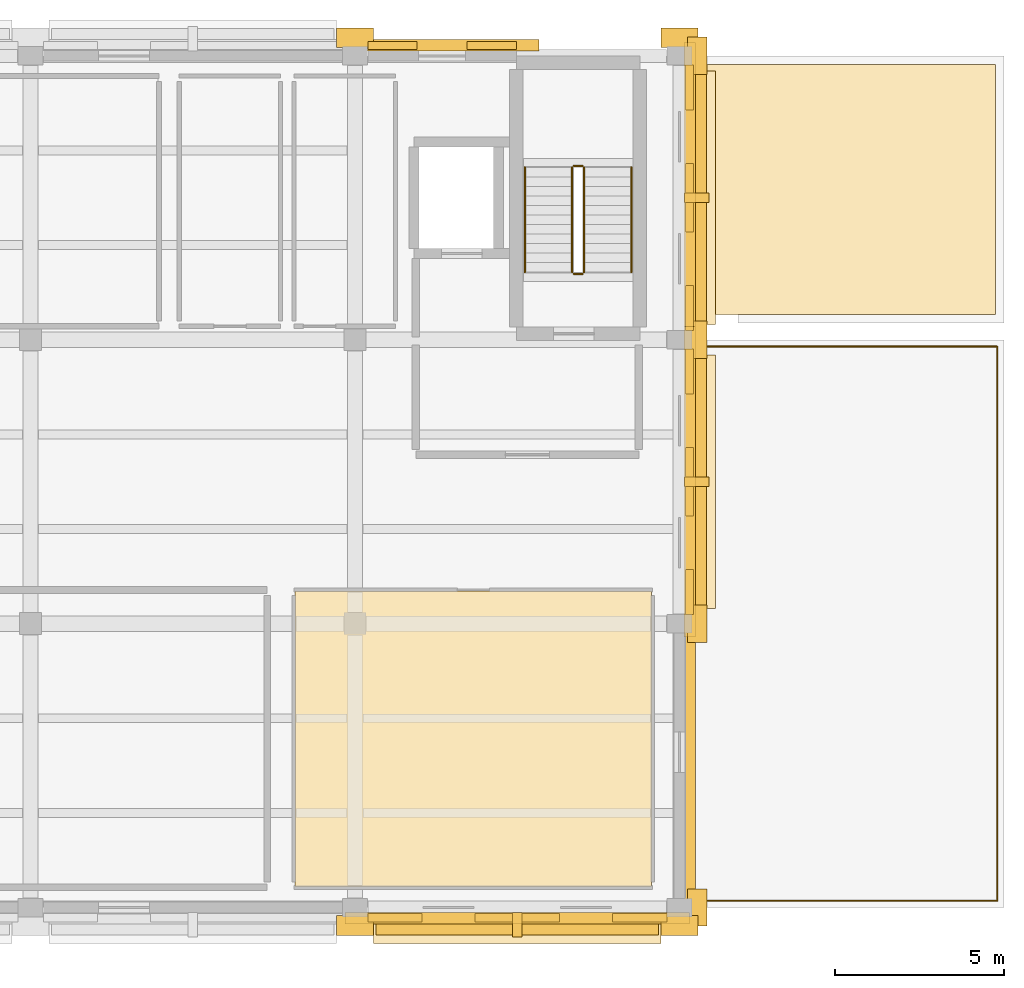
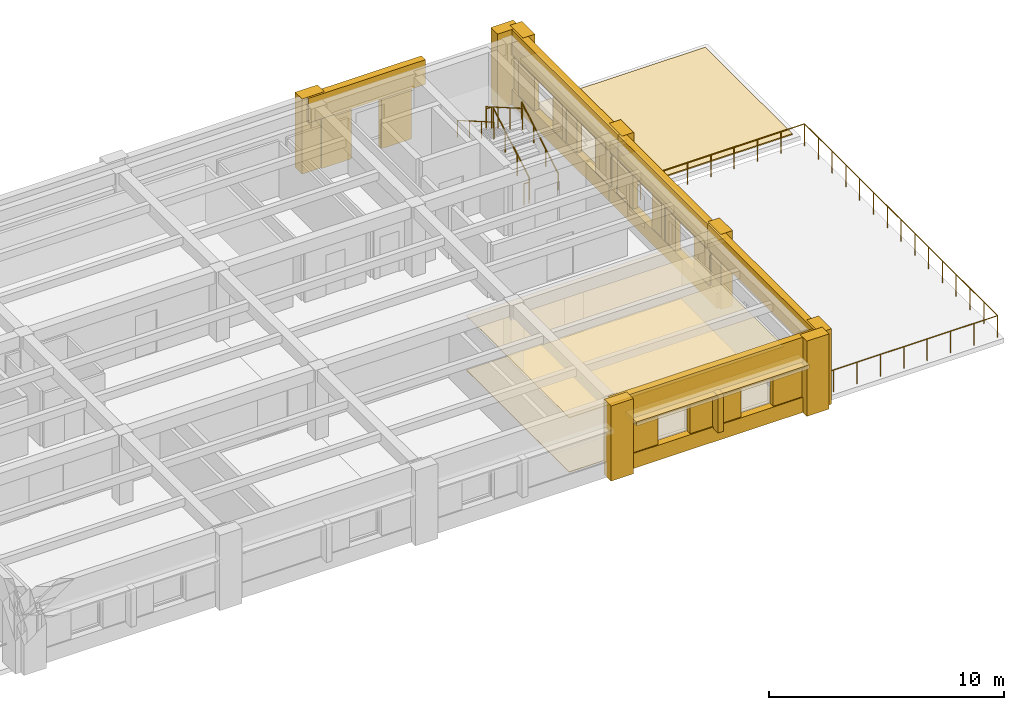
# One storey, part 7 of 7: 36 coverings, 7 railings, 3 shading devices.
"""IFC4 building model written with IfcOpenShell, lengths in metres."""

from ifc_helpers import new_model, si_unit, direction, frame, origin, origin_2d, place, context, subcontext, project, spatial, polyline, rectangle, circle, outline, extrude, material, layer, layer_set, type_object, element, save


model = new_model("IFC4")

# Units and contexts
model_context = context("Model", 3, precision=1e-05, world=origin(), true_north=direction((0.0, 1.0)))
body_context = subcontext(model_context, "Body", "Model", "MODEL_VIEW")
ifc_project = project(units=[si_unit("LENGTHUNIT", "METRE"), si_unit("AREAUNIT", "SQUARE_METRE"), si_unit("VOLUMEUNIT", "CUBIC_METRE"), si_unit("PLANEANGLEUNIT", "RADIAN"), si_unit("MASSUNIT", "GRAM", prefix="KILO")], contexts=[model_context])

# Site, building, storey
site_placement = place(None, origin())
site = spatial("IfcSite", under=ifc_project, at=site_placement, CompositionType="ELEMENT")
building_placement = place(site_placement, origin())
building = spatial("IfcBuilding", under=site, at=building_placement, Name="Bempovik Park Faculty of Sciences", CompositionType="ELEMENT")
storey_placement = place(building_placement, frame((0.0, 0.0, 38.39990234375)))
storey = spatial("IfcBuildingStorey", under=building, at=storey_placement, Name="L09", CompositionType="ELEMENT", Elevation=38.39990234375)

# Railing
ifc_material_1 = material(Name="Precast concrete C40/50", Category="concrete")
railing_type_1 = type_object("IfcRailingType", Name="BL-01 Terrace Balustrade 1150mm", PredefinedType="BALUSTRADE", material=ifc_material_1)
railing_1_placement = place(storey_placement, frame((108.199951171875, 94.39990234375, 0.0)))
element("IfcRailing", 1, at=railing_1_placement, inside=storey, type_object=railing_type_1, Name="Terrace Classical Balustrade BAL-L09-E", PredefinedType="BALUSTRADE", context=body_context, shape_type="SweptSolid", body=[
    extrude(circle(Radius=0.02392578125, at=origin_2d()), frame((0.0, 0.0, 1.1259765625), z_axis=(1.0, 0.0, 0.0), x_axis=(0.0, 1.0, 0.0)), (0.0, 0.0, 1.0), 9.199951171875),
    extrude(circle(Radius=0.02392578125, at=origin_2d()), frame((9.199951171875, 0.0, 1.1259765625), z_axis=(0.0, 1.0, 0.0), x_axis=(-1.0, 0.0, 0.0)), (0.0, 0.0, 1.0), 16.400146484375),
    extrude(circle(Radius=0.02392578125, at=origin_2d()), frame((9.199951171875, 16.400146484375, 1.1259765625), z_axis=(-1.0, 0.0, 0.0), x_axis=(0.0, -1.0, 0.0)), (0.0, 0.0, 1.0), 9.199951171875),
    extrude(circle(Radius=0.02099609375, at=origin_2d()), origin(), (0.0, 0.0, 1.0), 1.101806640625),
    extrude(circle(Radius=0.02099609375, at=origin_2d()), frame((1.14990234375, 0.0, 0.0)), (0.0, 0.0, 1.0), 1.101806640625),
    extrude(circle(Radius=0.02099609375, at=origin_2d()), frame((2.300048828125, 0.0, 0.0)), (0.0, 0.0, 1.0), 1.101806640625),
    extrude(circle(Radius=0.02099609375, at=origin_2d()), frame((3.449951171875, 0.0, 0.0)), (0.0, 0.0, 1.0), 1.101806640625),
    extrude(circle(Radius=0.02099609375, at=origin_2d()), frame((4.60009765625, 0.0, 0.0)), (0.0, 0.0, 1.0), 1.101806640625),
    extrude(circle(Radius=0.02099609375, at=origin_2d()), frame((5.75, 0.0, 0.0)), (0.0, 0.0, 1.0), 1.101806640625),
    extrude(circle(Radius=0.02099609375, at=origin_2d()), frame((6.89990234375, 0.0, 0.0)), (0.0, 0.0, 1.0), 1.101806640625),
    extrude(circle(Radius=0.02099609375, at=origin_2d()), frame((8.050048828125, 0.0, 0.0)), (0.0, 0.0, 1.0), 1.101806640625),
    extrude(circle(Radius=0.02099609375, at=origin_2d()), frame((9.199951171875, 0.0, 0.0)), (0.0, 0.0, 1.0), 1.101806640625),
    extrude(circle(Radius=0.02099609375, at=origin_2d()), frame((9.199951171875, 1.17138671875, 0.0)), (0.0, 0.0, 1.0), 1.101806640625),
    extrude(circle(Radius=0.02099609375, at=origin_2d()), frame((9.199951171875, 2.3427734375, 0.0)), (0.0, 0.0, 1.0), 1.101806640625),
    extrude(circle(Radius=0.02099609375, at=origin_2d()), frame((9.199951171875, 3.514404296875, 0.0)), (0.0, 0.0, 1.0), 1.101806640625),
    extrude(circle(Radius=0.02099609375, at=origin_2d()), frame((9.199951171875, 4.685791015625, 0.0)), (0.0, 0.0, 1.0), 1.101806640625),
    extrude(circle(Radius=0.02099609375, at=origin_2d()), frame((9.199951171875, 5.857177734375, 0.0)), (0.0, 0.0, 1.0), 1.101806640625),
    extrude(circle(Radius=0.02099609375, at=origin_2d()), frame((9.199951171875, 7.028564453125, 0.0)), (0.0, 0.0, 1.0), 1.101806640625),
    extrude(circle(Radius=0.02099609375, at=origin_2d()), frame((9.199951171875, 8.2001953125, 0.0)), (0.0, 0.0, 1.0), 1.101806640625),
    extrude(circle(Radius=0.02099609375, at=origin_2d()), frame((9.199951171875, 9.37158203125, 0.0)), (0.0, 0.0, 1.0), 1.101806640625),
    extrude(circle(Radius=0.02099609375, at=origin_2d()), frame((9.199951171875, 10.54296875, 0.0)), (0.0, 0.0, 1.0), 1.101806640625),
    extrude(circle(Radius=0.02099609375, at=origin_2d()), frame((9.199951171875, 11.71435546875, 0.0)), (0.0, 0.0, 1.0), 1.101806640625),
    extrude(circle(Radius=0.02099609375, at=origin_2d()), frame((9.199951171875, 12.8857421875, 0.0)), (0.0, 0.0, 1.0), 1.101806640625),
    extrude(circle(Radius=0.02099609375, at=origin_2d()), frame((9.199951171875, 14.057373046875, 0.0)), (0.0, 0.0, 1.0), 1.101806640625),
    extrude(circle(Radius=0.02099609375, at=origin_2d()), frame((9.199951171875, 15.228759765625, 0.0)), (0.0, 0.0, 1.0), 1.101806640625),
    extrude(circle(Radius=0.02099609375, at=origin_2d()), frame((9.199951171875, 16.400146484375, 0.0)), (0.0, 0.0, 1.0), 1.101806640625),
    extrude(circle(Radius=0.02099609375, at=origin_2d()), frame((8.050048828125, 16.400146484375, 0.0)), (0.0, 0.0, 1.0), 1.101806640625),
    extrude(circle(Radius=0.02099609375, at=origin_2d()), frame((6.89990234375, 16.400146484375, 0.0)), (0.0, 0.0, 1.0), 1.101806640625),
    extrude(circle(Radius=0.02099609375, at=origin_2d()), frame((5.75, 16.400146484375, 0.0)), (0.0, 0.0, 1.0), 1.101806640625),
    extrude(circle(Radius=0.02099609375, at=origin_2d()), frame((4.60009765625, 16.400146484375, 0.0)), (0.0, 0.0, 1.0), 1.101806640625),
    extrude(circle(Radius=0.02099609375, at=origin_2d()), frame((3.449951171875, 16.400146484375, 0.0)), (0.0, 0.0, 1.0), 1.101806640625),
    extrude(circle(Radius=0.02099609375, at=origin_2d()), frame((2.300048828125, 16.400146484375, 0.0)), (0.0, 0.0, 1.0), 1.101806640625),
    extrude(circle(Radius=0.02099609375, at=origin_2d()), frame((1.14990234375, 16.400146484375, 0.0)), (0.0, 0.0, 1.0), 1.101806640625),
    extrude(circle(Radius=0.02099609375, at=origin_2d()), frame((0.0, 16.400146484375, 0.0)), (0.0, 0.0, 1.0), 1.101806640625),
])

# Coverings
ifc_material_2 = material(Name="Acoustic mineral ceiling tile")
ifc_layer_1 = layer(ifc_material_2, 0.0400390625)
ifc_layer_set_1 = layer_set([ifc_layer_1], Name="Acoustic mineral ceiling tile")
covering_type_1 = type_object("IfcCoveringType", Name="CE-01 Acoustic Ceiling 40mm", PredefinedType="CEILING", material=ifc_layer_set_1)
covering_1_placement = place(storey_placement, frame((0.0, 0.0, 2.81005859375)))
element("IfcCovering", 2, at=covering_1_placement, inside=storey, type_object=covering_type_1, Name="L09 East Terrace Faculty Offices Acoustic Ceiling", PredefinedType="CEILING", context=body_context, shape_type="SweptSolid", body=[
    extrude(outline(polyline([(96.6298828125, 94.830078125), (107.169921875, 94.830078125), (107.169921875, 103.570068359375), (96.6298828125, 103.570068359375), (96.6298828125, 94.830078125)])), origin(), (0.0, 0.0, 1.0), 0.0400390625),
])
ifc_layer_2 = layer(ifc_material_1, 0.179931640625)
ifc_layer_set_2 = layer_set([ifc_layer_2], Name="Precast concrete C40/50")
covering_type_2 = type_object("IfcCoveringType", Name="CL-02 Classical Cornice Band 180mm", PredefinedType="CLADDING", material=ifc_layer_set_2)
for number, where, z_axis, x_axis, name in (
    (3, (108.60009765625, 106.800048828125, 2.6103515625), (0.0, 0.0, 1.0), (1.0, 0.0, 0.0), "L09 Classical Stone Solar Window Hood EW-L09-11005"),
    (4, (108.60009765625, 115.199951171875, 2.6103515625), (0.0, 0.0, 1.0), (1.0, 0.0, 0.0), "L09 Classical Stone Solar Window Hood EW-L09-11017"),
):
    element("IfcCovering", number, at=place(storey_placement, frame(where, z_axis=z_axis, x_axis=x_axis)), inside=storey, type_object=covering_type_2, Name=name, PredefinedType="CLADDING", context=body_context, shape_type="SweptSolid", body=[
        extrude(rectangle(XDim=0.919921875, YDim=7.49609375, at=origin_2d()), origin(), (0.0, 0.0, 1.0), 0.219970703125),
    ])
covering_2_placement = place(storey_placement, frame((103.199951171875, 93.60009765625, 2.6103515625), z_axis=(0.0, 0.0, 1.0), x_axis=(1.0, 0.0, 0.0)))
element("IfcCovering", 5, at=covering_2_placement, inside=storey, type_object=covering_type_2, Name="L09 Classical Stone Solar Window Hood EW-L09-11125", PredefinedType="CLADDING", context=body_context, shape_type="SweptSolid", body=[
    extrude(rectangle(XDim=8.49609375, YDim=0.919921875, at=origin_2d()), origin(), (0.0, 0.0, 1.0), 0.219970703125),
])
ifc_material_3 = material(Name="White reconstituted limestone precast C40/50", Category="masonry")
ifc_layer_3 = layer(ifc_material_3, 0.239990234375)
ifc_layer_set_3 = layer_set([ifc_layer_3], Name="White reconstituted limestone precast C40/50")
covering_type_3 = type_object("IfcCoveringType", Name="CL-03 Classical Fluted Limestone Pilaster 240mm", PredefinedType="CLADDING", material=ifc_layer_set_3)
covering_3_placement = place(storey_placement, frame((108.31005859375, 98.39990234375, 2.6201171875), z_axis=(0.0, 0.0, 1.0), x_axis=(1.0, 0.0, 0.0)))
element("IfcCovering", 6, at=covering_3_placement, inside=storey, type_object=covering_type_3, Name="L09 Classical Limestone Spandrel Entablature EW-L09-11001", PredefinedType="CLADDING", context=body_context, shape_type="SweptSolid", body=[
    extrude(rectangle(XDim=0.340087890625, YDim=9.196044921875, at=origin_2d()), origin(), (0.0, 0.0, 1.0), 1.280029296875),
])
for number, where, z_axis, x_axis, name in (
    (7, (108.530029296875, 94.199951171875, 0.000244140625), (0.0, 0.0, 1.0), (1.0, 0.0, 0.0), "L09 Classical Fluted Stone Pilaster PIL-BA-L09-1085-942"),
    (8, (108.530029296875, 102.60009765625, 0.000244140625), (0.0, 0.0, 1.0), (1.0, 0.0, 0.0), "L09 Classical Fluted Stone Pilaster PIL-BA-L09-1085-1026"),
):
    element("IfcCovering", number, at=place(storey_placement, frame(where, z_axis=z_axis, x_axis=x_axis)), inside=storey, type_object=covering_type_3, Name=name, PredefinedType="CLADDING", context=body_context, shape_type="SweptSolid", body=[
        extrude(rectangle(XDim=0.580078125, YDim=1.10009765625, at=origin_2d()), origin(), (0.0, 0.0, 1.0), 3.89990234375),
    ])
covering_4_placement = place(storey_placement, frame((108.31005859375, 106.800048828125, 2.6201171875), z_axis=(0.0, 0.0, 1.0), x_axis=(1.0, 0.0, 0.0)))
element("IfcCovering", 9, at=covering_4_placement, inside=storey, type_object=covering_type_3, Name="L09 Classical Limestone Spandrel Entablature EW-L09-11005", PredefinedType="CLADDING", context=body_context, shape_type="SweptSolid", body=[
    extrude(rectangle(XDim=0.340087890625, YDim=9.196044921875, at=origin_2d()), origin(), (0.0, 0.0, 1.0), 1.280029296875),
])
covering_5_placement = place(storey_placement, frame((108.31005859375, 106.800048828125, 0.0), z_axis=(0.0, 0.0, 1.0), x_axis=(1.0, 0.0, 0.0)))
element("IfcCovering", 10, at=covering_5_placement, inside=storey, type_object=covering_type_3, Name="L09 Classical Limestone Sill Dado EW-L09-11005", PredefinedType="CLADDING", context=body_context, shape_type="SweptSolid", body=[
    extrude(rectangle(XDim=0.340087890625, YDim=9.196044921875, at=origin_2d()), origin(), (0.0, 0.0, 1.0), 0.780029296875),
])
covering_6_placement = place(storey_placement, frame((108.530029296875, 111.0, 0.000244140625), z_axis=(0.0, 0.0, 1.0), x_axis=(1.0, 0.0, 0.0)))
element("IfcCovering", 11, at=covering_6_placement, inside=storey, type_object=covering_type_3, Name="L09 Classical Fluted Stone Pilaster PIL-BA-L09-1085-1110", PredefinedType="CLADDING", context=body_context, shape_type="SweptSolid", body=[
    extrude(rectangle(XDim=0.580078125, YDim=1.10009765625, at=origin_2d()), origin(), (0.0, 0.0, 1.0), 3.89990234375),
])
covering_7_placement = place(storey_placement, frame((108.300048828125, 103.541259765625, 0.0), z_axis=(0.0, 0.0, 1.0), x_axis=(1.0, 0.0, 0.0)))
element("IfcCovering", 12, at=covering_7_placement, inside=storey, type_object=covering_type_3, Name="L09 White Limestone Wall Cheek EW-L09-11005-0", PredefinedType="CLADDING", context=body_context, shape_type="SweptSolid", body=[
    extrude(rectangle(XDim=0.239990234375, YDim=1.328369140625, at=origin_2d()), origin(), (0.0, 0.0, 1.0), 2.780029296875),
])
covering_8_placement = place(storey_placement, frame((108.300048828125, 106.800048828125, 0.0), z_axis=(0.0, 0.0, 1.0), x_axis=(1.0, 0.0, 0.0)))
element("IfcCovering", 13, at=covering_8_placement, inside=storey, type_object=covering_type_3, Name="L09 White Limestone Wall Cheek EW-L09-11005-2", PredefinedType="CLADDING", context=body_context, shape_type="SweptSolid", body=[
    extrude(rectangle(XDim=0.239990234375, YDim=2.029296875, at=origin_2d()), origin(), (0.0, 0.0, 1.0), 2.780029296875),
])
covering_9_placement = place(storey_placement, frame((108.300048828125, 110.058837890625, 0.0), z_axis=(0.0, 0.0, 1.0), x_axis=(1.0, 0.0, 0.0)))
element("IfcCovering", 14, at=covering_9_placement, inside=storey, type_object=covering_type_3, Name="L09 White Limestone Wall Cheek EW-L09-11005-4", PredefinedType="CLADDING", context=body_context, shape_type="SweptSolid", body=[
    extrude(rectangle(XDim=0.239990234375, YDim=1.328369140625, at=origin_2d()), origin(), (0.0, 0.0, 1.0), 2.780029296875),
])
covering_10_placement = place(storey_placement, frame((108.510009765625, 106.800048828125, 0.7001953125), z_axis=(0.0, 0.0, 1.0), x_axis=(1.0, 0.0, 0.0)))
element("IfcCovering", 15, at=covering_10_placement, inside=storey, type_object=covering_type_3, Name="L09 Classical Vertical Stone Shading Fin EW-L09-11005", PredefinedType="CLADDING", context=body_context, shape_type="SweptSolid", body=[
    extrude(rectangle(XDim=0.719970703125, YDim=0.280029296875, at=origin_2d()), origin(), (0.0, 0.0, 1.0), 1.949951171875),
])
covering_11_placement = place(storey_placement, frame((108.31005859375, 115.199951171875, 2.6201171875), z_axis=(0.0, 0.0, 1.0), x_axis=(1.0, 0.0, 0.0)))
element("IfcCovering", 16, at=covering_11_placement, inside=storey, type_object=covering_type_3, Name="L09 Classical Limestone Spandrel Entablature EW-L09-11017", PredefinedType="CLADDING", context=body_context, shape_type="SweptSolid", body=[
    extrude(rectangle(XDim=0.340087890625, YDim=9.196044921875, at=origin_2d()), origin(), (0.0, 0.0, 1.0), 1.280029296875),
])
covering_12_placement = place(storey_placement, frame((108.31005859375, 115.199951171875, 0.0), z_axis=(0.0, 0.0, 1.0), x_axis=(1.0, 0.0, 0.0)))
element("IfcCovering", 17, at=covering_12_placement, inside=storey, type_object=covering_type_3, Name="L09 Classical Limestone Sill Dado EW-L09-11017", PredefinedType="CLADDING", context=body_context, shape_type="SweptSolid", body=[
    extrude(rectangle(XDim=0.340087890625, YDim=9.196044921875, at=origin_2d()), origin(), (0.0, 0.0, 1.0), 0.780029296875),
])
covering_13_placement = place(storey_placement, frame((108.530029296875, 119.39990234375, 0.000244140625), z_axis=(0.0, 0.0, 1.0), x_axis=(1.0, 0.0, 0.0)))
element("IfcCovering", 18, at=covering_13_placement, inside=storey, type_object=covering_type_3, Name="L09 Classical Fluted Stone Pilaster PIL-BA-L09-1085-1194", PredefinedType="CLADDING", context=body_context, shape_type="SweptSolid", body=[
    extrude(rectangle(XDim=0.580078125, YDim=1.10009765625, at=origin_2d()), origin(), (0.0, 0.0, 1.0), 3.89990234375),
])
covering_14_placement = place(storey_placement, frame((108.300048828125, 111.941162109375, 0.0), z_axis=(0.0, 0.0, 1.0), x_axis=(1.0, 0.0, 0.0)))
element("IfcCovering", 19, at=covering_14_placement, inside=storey, type_object=covering_type_3, Name="L09 White Limestone Wall Cheek EW-L09-11017-0", PredefinedType="CLADDING", context=body_context, shape_type="SweptSolid", body=[
    extrude(rectangle(XDim=0.239990234375, YDim=1.328369140625, at=origin_2d()), origin(), (0.0, 0.0, 1.0), 2.780029296875),
])
covering_15_placement = place(storey_placement, frame((108.300048828125, 115.199951171875, 0.0), z_axis=(0.0, 0.0, 1.0), x_axis=(1.0, 0.0, 0.0)))
element("IfcCovering", 20, at=covering_15_placement, inside=storey, type_object=covering_type_3, Name="L09 White Limestone Wall Cheek EW-L09-11017-2", PredefinedType="CLADDING", context=body_context, shape_type="SweptSolid", body=[
    extrude(rectangle(XDim=0.239990234375, YDim=2.029296875, at=origin_2d()), origin(), (0.0, 0.0, 1.0), 2.780029296875),
])
covering_16_placement = place(storey_placement, frame((108.300048828125, 118.458740234375, 0.0), z_axis=(0.0, 0.0, 1.0), x_axis=(1.0, 0.0, 0.0)))
element("IfcCovering", 21, at=covering_16_placement, inside=storey, type_object=covering_type_3, Name="L09 White Limestone Wall Cheek EW-L09-11017-4", PredefinedType="CLADDING", context=body_context, shape_type="SweptSolid", body=[
    extrude(rectangle(XDim=0.239990234375, YDim=1.328369140625, at=origin_2d()), origin(), (0.0, 0.0, 1.0), 2.780029296875),
])
covering_17_placement = place(storey_placement, frame((108.510009765625, 115.199951171875, 0.7001953125), z_axis=(0.0, 0.0, 1.0), x_axis=(1.0, 0.0, 0.0)))
element("IfcCovering", 22, at=covering_17_placement, inside=storey, type_object=covering_type_3, Name="L09 Classical Vertical Stone Shading Fin EW-L09-11017", PredefinedType="CLADDING", context=body_context, shape_type="SweptSolid", body=[
    extrude(rectangle(XDim=0.719970703125, YDim=0.280029296875, at=origin_2d()), origin(), (0.0, 0.0, 1.0), 1.949951171875),
])
covering_18_placement = place(storey_placement, frame((98.39990234375, 119.929931640625, 0.000244140625), z_axis=(0.0, 0.0, 1.0), x_axis=(1.0, 0.0, 0.0)))
element("IfcCovering", 23, at=covering_18_placement, inside=storey, type_object=covering_type_3, Name="L09 Classical Fluted Stone Pilaster PIL-BA-L09-984-1199", PredefinedType="CLADDING", context=body_context, shape_type="SweptSolid", body=[
    extrude(rectangle(XDim=1.10009765625, YDim=0.580078125, at=origin_2d()), origin(), (0.0, 0.0, 1.0), 3.89990234375),
])
covering_19_placement = place(storey_placement, frame((100.9755859375, 119.7099609375, 2.6201171875), z_axis=(0.0, 0.0, 1.0), x_axis=(1.0, 0.0, 0.0)))
element("IfcCovering", 24, at=covering_19_placement, inside=storey, type_object=covering_type_3, Name="L09 Classical Limestone Spandrel Entablature EW-L09-11058", PredefinedType="CLADDING", context=body_context, shape_type="SweptSolid", body=[
    extrude(rectangle(XDim=5.7470703125, YDim=0.340087890625, at=origin_2d()), origin(), (0.0, 0.0, 1.0), 1.280029296875),
])
covering_20_placement = place(storey_placement, frame((108.0, 119.929931640625, 0.000244140625), z_axis=(0.0, 0.0, 1.0), x_axis=(1.0, 0.0, 0.0)))
element("IfcCovering", 25, at=covering_20_placement, inside=storey, type_object=covering_type_3, Name="L09 Classical Fluted Stone Pilaster PIL-BA-L09-1080-1199", PredefinedType="CLADDING", context=body_context, shape_type="SweptSolid", body=[
    extrude(rectangle(XDim=1.10009765625, YDim=0.580078125, at=origin_2d()), origin(), (0.0, 0.0, 1.0), 3.89990234375),
])
for number, where, z_axis, x_axis, name in (
    (26, (99.506103515625, 119.699951171875, 0.0), (0.0, 0.0, 1.0), (1.0, 0.0, 0.0), "L09 Stairwell White Limestone Cheek EW-L09-11058-1"),
    (27, (102.444580078125, 119.699951171875, 0.0), (0.0, 0.0, 1.0), (1.0, 0.0, 0.0), "L09 Stairwell White Limestone Cheek EW-L09-11058-2"),
):
    element("IfcCovering", number, at=place(storey_placement, frame(where, z_axis=z_axis, x_axis=x_axis)), inside=storey, type_object=covering_type_3, Name=name, PredefinedType="CLADDING", context=body_context, shape_type="SweptSolid", body=[
        extrude(rectangle(XDim=1.45849609375, YDim=0.239990234375, at=origin_2d()), origin(), (0.0, 0.0, 1.0), 2.780029296875),
    ])
covering_21_placement = place(storey_placement, frame((98.39990234375, 93.669921875, 0.000244140625), z_axis=(0.0, 0.0, 1.0), x_axis=(1.0, 0.0, 0.0)))
element("IfcCovering", 28, at=covering_21_placement, inside=storey, type_object=covering_type_3, Name="L09 Classical Fluted Stone Pilaster PIL-BA-L09-984-937", PredefinedType="CLADDING", context=body_context, shape_type="SweptSolid", body=[
    extrude(rectangle(XDim=1.10009765625, YDim=0.580078125, at=origin_2d()), origin(), (0.0, 0.0, 1.0), 3.89990234375),
])
covering_22_placement = place(storey_placement, frame((103.199951171875, 93.889892578125, 2.6201171875), z_axis=(0.0, 0.0, 1.0), x_axis=(1.0, 0.0, 0.0)))
element("IfcCovering", 29, at=covering_22_placement, inside=storey, type_object=covering_type_3, Name="L09 Classical Limestone Spandrel Entablature EW-L09-11125", PredefinedType="CLADDING", context=body_context, shape_type="SweptSolid", body=[
    extrude(rectangle(XDim=10.196044921875, YDim=0.340087890625, at=origin_2d()), origin(), (0.0, 0.0, 1.0), 1.280029296875),
])
covering_23_placement = place(storey_placement, frame((103.199951171875, 93.889892578125, 0.0), z_axis=(0.0, 0.0, 1.0), x_axis=(1.0, 0.0, 0.0)))
element("IfcCovering", 30, at=covering_23_placement, inside=storey, type_object=covering_type_3, Name="L09 Classical Limestone Sill Dado EW-L09-11125", PredefinedType="CLADDING", context=body_context, shape_type="SweptSolid", body=[
    extrude(rectangle(XDim=10.196044921875, YDim=0.340087890625, at=origin_2d()), origin(), (0.0, 0.0, 1.0), 0.780029296875),
])
covering_24_placement = place(storey_placement, frame((108.0, 93.669921875, 0.000244140625), z_axis=(0.0, 0.0, 1.0), x_axis=(1.0, 0.0, 0.0)))
element("IfcCovering", 31, at=covering_24_placement, inside=storey, type_object=covering_type_3, Name="L09 Classical Fluted Stone Pilaster PIL-BA-L09-1080-937", PredefinedType="CLADDING", context=body_context, shape_type="SweptSolid", body=[
    extrude(rectangle(XDim=1.10009765625, YDim=0.580078125, at=origin_2d()), origin(), (0.0, 0.0, 1.0), 3.89990234375),
])
covering_25_placement = place(storey_placement, frame((99.576171875, 93.89990234375, 0.0), z_axis=(0.0, 0.0, 1.0), x_axis=(1.0, 0.0, 0.0)))
element("IfcCovering", 32, at=covering_25_placement, inside=storey, type_object=covering_type_3, Name="L09 White Limestone Wall Cheek EW-L09-11125-0", PredefinedType="CLADDING", context=body_context, shape_type="SweptSolid", body=[
    extrude(rectangle(XDim=1.598388671875, YDim=0.239990234375, at=origin_2d()), origin(), (0.0, 0.0, 1.0), 2.780029296875),
])
covering_26_placement = place(storey_placement, frame((103.199951171875, 93.89990234375, 0.0), z_axis=(0.0, 0.0, 1.0), x_axis=(1.0, 0.0, 0.0)))
element("IfcCovering", 33, at=covering_26_placement, inside=storey, type_object=covering_type_3, Name="L09 White Limestone Wall Cheek EW-L09-11125-2", PredefinedType="CLADDING", context=body_context, shape_type="SweptSolid", body=[
    extrude(rectangle(XDim=2.4892578125, YDim=0.239990234375, at=origin_2d()), origin(), (0.0, 0.0, 1.0), 2.780029296875),
])
covering_27_placement = place(storey_placement, frame((106.82373046875, 93.89990234375, 0.0), z_axis=(0.0, 0.0, 1.0), x_axis=(1.0, 0.0, 0.0)))
element("IfcCovering", 34, at=covering_27_placement, inside=storey, type_object=covering_type_3, Name="L09 White Limestone Wall Cheek EW-L09-11125-4", PredefinedType="CLADDING", context=body_context, shape_type="SweptSolid", body=[
    extrude(rectangle(XDim=1.598388671875, YDim=0.239990234375, at=origin_2d()), origin(), (0.0, 0.0, 1.0), 2.780029296875),
])
covering_28_placement = place(storey_placement, frame((103.199951171875, 93.68994140625, 0.7001953125), z_axis=(0.0, 0.0, 1.0), x_axis=(1.0, 0.0, 0.0)))
element("IfcCovering", 35, at=covering_28_placement, inside=storey, type_object=covering_type_3, Name="L09 Classical Vertical Stone Shading Fin EW-L09-11125", PredefinedType="CLADDING", context=body_context, shape_type="SweptSolid", body=[
    extrude(rectangle(XDim=0.280029296875, YDim=0.719970703125, at=origin_2d()), origin(), (0.0, 0.0, 1.0), 1.949951171875),
])
ifc_material_4 = material(Name="Polished mineral terrazzo flooring")
ifc_layer_4 = layer(ifc_material_4, 0.030029296875)
ifc_layer_set_4 = layer_set([ifc_layer_4], Name="Polished mineral terrazzo flooring")
covering_type_4 = type_object("IfcCoveringType", Name="FL-01 Terrazzo Flooring 30mm", PredefinedType="FLOORING", material=ifc_layer_set_4)
covering_29_placement = place(storey_placement, origin())
element("IfcCovering", 36, at=covering_29_placement, inside=storey, type_object=covering_type_4, Name="L09 East Terrace Faculty Offices Terrazzo Flooring", PredefinedType="FLOORING", context=body_context, shape_type="SweptSolid", body=[
    extrude(outline(polyline([(96.6298828125, 94.830078125), (107.169921875, 94.830078125), (107.169921875, 103.570068359375), (96.6298828125, 103.570068359375), (96.6298828125, 94.830078125)])), origin(), (0.0, 0.0, 1.0), 0.030029296875),
])

# Railings
ifc_material_5 = material(Name="Anodised architectural bronze")
railing_type_2 = type_object("IfcRailingType", Name="GR-01 Guardrail 1120mm", PredefinedType="GUARDRAIL", material=ifc_material_5)
railing_2_placement = place(storey_placement, frame((105.175048828125, 113.0, 0.16259765625)))
element("IfcRailing", 37, at=railing_2_placement, inside=storey, type_object=railing_type_2, Name="L09 ST-2 Stair Guard 1", PredefinedType="GUARDRAIL", context=body_context, shape_type="SweptSolid", body=[
    extrude(circle(Radius=0.02392578125, at=origin_2d()), frame((0.0, 0.0, 1.09619140625), z_axis=(0.0, 0.865853233856, 0.500298088565), x_axis=(-1.0, 0.0, 0.0)), (0.0, 0.0, 1.0), 3.572998046875),
    extrude(circle(Radius=0.02099609375, at=origin_2d()), origin(), (0.0, 0.0, 1.0), 1.072021484375),
    extrude(circle(Radius=0.02099609375, at=origin_2d()), frame((0.0, 1.03125, 0.595947265625)), (0.0, 0.0, 1.0), 1.072021484375),
    extrude(circle(Radius=0.02099609375, at=origin_2d()), frame((0.0, 2.0625, 1.191650390625)), (0.0, 0.0, 1.0), 1.072021484375),
    extrude(circle(Radius=0.02099609375, at=origin_2d()), frame((0.0, 3.09375, 1.78759765625)), (0.0, 0.0, 1.0), 1.072021484375),
])
railing_3_placement = place(storey_placement, frame((105.125, 116.143798828125, 1.9501953125)))
element("IfcRailing", 38, at=railing_3_placement, inside=storey, type_object=railing_type_2, Name="L09 ST-2 Stair Guard 2", PredefinedType="GUARDRAIL", context=body_context, shape_type="SweptSolid", body=[
    extrude(circle(Radius=0.02392578125, at=origin_2d()), frame((0.0, 0.0, 1.09619140625), z_axis=(-1.0, 0.0, 0.0), x_axis=(0.0, -1.0, 0.0)), (0.0, 0.0, 1.0), 0.25),
    extrude(circle(Radius=0.02099609375, at=origin_2d()), origin(), (0.0, 0.0, 1.0), 1.072021484375),
    extrude(circle(Radius=0.02099609375, at=origin_2d()), frame((-0.25, 0.0, 0.0)), (0.0, 0.0, 1.0), 1.072021484375),
])
railing_4_placement = place(storey_placement, frame((104.824951171875, 116.09375, 2.112548828125)))
element("IfcRailing", 39, at=railing_4_placement, inside=storey, type_object=railing_type_2, Name="L09 ST-2 Stair Guard 3", PredefinedType="GUARDRAIL", context=body_context, shape_type="SweptSolid", body=[
    extrude(circle(Radius=0.02392578125, at=origin_2d()), frame((0.0, 0.0, 1.09619140625), z_axis=(0.0, -0.865853233856, 0.500298088565), x_axis=(1.0, 0.0, 0.0)), (0.0, 0.0, 1.0), 3.572998046875),
    extrude(circle(Radius=0.02099609375, at=origin_2d()), origin(), (0.0, 0.0, 1.0), 1.072021484375),
    extrude(circle(Radius=0.02099609375, at=origin_2d()), frame((0.0, -1.03125, 0.595947265625)), (0.0, 0.0, 1.0), 1.072021484375),
    extrude(circle(Radius=0.02099609375, at=origin_2d()), frame((0.0, -2.0625, 1.191650390625)), (0.0, 0.0, 1.0), 1.072021484375),
    extrude(circle(Radius=0.02099609375, at=origin_2d()), frame((0.0, -3.09375, 1.78759765625)), (0.0, 0.0, 1.0), 1.072021484375),
])
railing_5_placement = place(storey_placement, frame((105.125, 112.949951171875, 0.0)))
element("IfcRailing", 40, at=railing_5_placement, inside=storey, type_object=railing_type_2, Name="L09 ST-2 Stair Guard 4", PredefinedType="GUARDRAIL", context=body_context, shape_type="SweptSolid", body=[
    extrude(circle(Radius=0.02392578125, at=origin_2d()), frame((0.0, 0.0, 1.09619140625), z_axis=(-1.0, 0.0, 0.0), x_axis=(0.0, -1.0, 0.0)), (0.0, 0.0, 1.0), 0.25),
    extrude(circle(Radius=0.02099609375, at=origin_2d()), origin(), (0.0, 0.0, 1.0), 1.072021484375),
    extrude(circle(Radius=0.02099609375, at=origin_2d()), frame((-0.25, 0.0, 0.0)), (0.0, 0.0, 1.0), 1.072021484375),
])
railing_type_3 = type_object("IfcRailingType", Name="HR-01 Wall Handrail 900mm", PredefinedType="HANDRAIL", material=ifc_material_5)
railing_6_placement = place(storey_placement, frame((106.574951171875, 113.0, 0.16259765625)))
element("IfcRailing", 41, at=railing_6_placement, inside=storey, type_object=railing_type_3, Name="L09 ST-2 Stair Handrail 1", PredefinedType="HANDRAIL", context=body_context, shape_type="SweptSolid", body=[
    extrude(circle(Radius=0.02392578125, at=origin_2d()), frame((0.0, 0.0, 0.8759765625), z_axis=(0.0, 0.865853233856, 0.500298088565), x_axis=(-1.0, 0.0, 0.0)), (0.0, 0.0, 1.0), 3.572998046875),
    extrude(circle(Radius=0.02099609375, at=origin_2d()), origin(), (0.0, 0.0, 1.0), 0.851806640625),
    extrude(circle(Radius=0.02099609375, at=origin_2d()), frame((0.0, 1.03125, 0.595947265625)), (0.0, 0.0, 1.0), 0.851806640625),
    extrude(circle(Radius=0.02099609375, at=origin_2d()), frame((0.0, 2.0625, 1.191650390625)), (0.0, 0.0, 1.0), 0.851806640625),
    extrude(circle(Radius=0.02099609375, at=origin_2d()), frame((0.0, 3.09375, 1.78759765625)), (0.0, 0.0, 1.0), 0.851806640625),
])
railing_7_placement = place(storey_placement, frame((103.425048828125, 116.09375, 2.112548828125)))
element("IfcRailing", 42, at=railing_7_placement, inside=storey, type_object=railing_type_3, Name="L09 ST-2 Stair Handrail 2", PredefinedType="HANDRAIL", context=body_context, shape_type="SweptSolid", body=[
    extrude(circle(Radius=0.02392578125, at=origin_2d()), frame((0.0, 0.0, 0.8759765625), z_axis=(0.0, -0.865853233856, 0.500298088565), x_axis=(1.0, 0.0, 0.0)), (0.0, 0.0, 1.0), 3.572998046875),
    extrude(circle(Radius=0.02099609375, at=origin_2d()), origin(), (0.0, 0.0, 1.0), 0.851806640625),
    extrude(circle(Radius=0.02099609375, at=origin_2d()), frame((0.0, -1.03125, 0.595947265625)), (0.0, 0.0, 1.0), 0.851806640625),
    extrude(circle(Radius=0.02099609375, at=origin_2d()), frame((0.0, -2.0625, 1.191650390625)), (0.0, 0.0, 1.0), 0.851806640625),
    extrude(circle(Radius=0.02099609375, at=origin_2d()), frame((0.0, -3.09375, 1.78759765625)), (0.0, 0.0, 1.0), 0.851806640625),
])

# Covering
ifc_material_6 = material(Name="Insulated cool-roof membrane")
ifc_layer_5 = layer(ifc_material_6, 0.06005859375)
ifc_layer_set_5 = layer_set([ifc_layer_5], Name="Insulated cool-roof membrane")
covering_type_5 = type_object("IfcCoveringType", Name="RF-01 Cool Roof Membrane 60mm", PredefinedType="ROOFING", material=ifc_layer_set_5)
covering_30_placement = place(storey_placement, origin())
element("IfcCovering", 43, at=covering_30_placement, inside=storey, type_object=covering_type_5, Name="Cool-Roof Membrane RF-V5-N9E", PredefinedType="ROOFING", context=body_context, shape_type="SweptSolid", body=[
    extrude(outline(polyline([(108.25, 111.75), (117.35009765625, 111.75), (117.35009765625, 119.14990234375), (108.25, 119.14990234375), (108.25, 111.75)])), origin(), (0.0, 0.0, 1.0), 0.06005859375),
])

# Shading devices
ifc_layer_6 = layer(ifc_material_5, 0.06005859375)
ifc_layer_set_6 = layer_set([ifc_layer_6], Name="Anodised architectural bronze")
shading_device_type = type_object("IfcShadingDeviceType", Name="SH-01 Bronze Brise-Soleil Fin", PredefinedType="USERDEFINED", material=ifc_layer_set_6)
for number, where, z_axis, x_axis, name in (
    (44, (108.47998046875, 106.800048828125, 2.550048828125), (0.0, 0.0, 1.0), (1.0, 0.0, 0.0), "L09 Equatorial Bronze Brise-Soleil EW-L09-11005"),
    (45, (108.47998046875, 115.199951171875, 2.550048828125), (0.0, 0.0, 1.0), (1.0, 0.0, 0.0), "L09 Equatorial Bronze Brise-Soleil EW-L09-11017"),
):
    element("IfcShadingDevice", number, at=place(storey_placement, frame(where, z_axis=z_axis, x_axis=x_axis)), inside=storey, type_object=shading_device_type, Name=name, ObjectType="BRISE SOLEIL", PredefinedType="USERDEFINED", context=body_context, shape_type="SweptSolid", body=[
        extrude(rectangle(XDim=0.64990234375, YDim=7.345947265625, at=origin_2d()), origin(), (0.0, 0.0, 1.0), 0.06005859375),
    ])
shading_device_placement = place(storey_placement, frame((103.199951171875, 93.719970703125, 2.550048828125), z_axis=(0.0, 0.0, 1.0), x_axis=(1.0, 0.0, 0.0)))
element("IfcShadingDevice", 46, at=shading_device_placement, inside=storey, type_object=shading_device_type, Name="L09 Equatorial Bronze Brise-Soleil EW-L09-11125", ObjectType="BRISE SOLEIL", PredefinedType="USERDEFINED", context=body_context, shape_type="SweptSolid", body=[
    extrude(rectangle(XDim=8.345947265625, YDim=0.64990234375, at=origin_2d()), origin(), (0.0, 0.0, 1.0), 0.06005859375),
])

save(model, "model.ifc")
